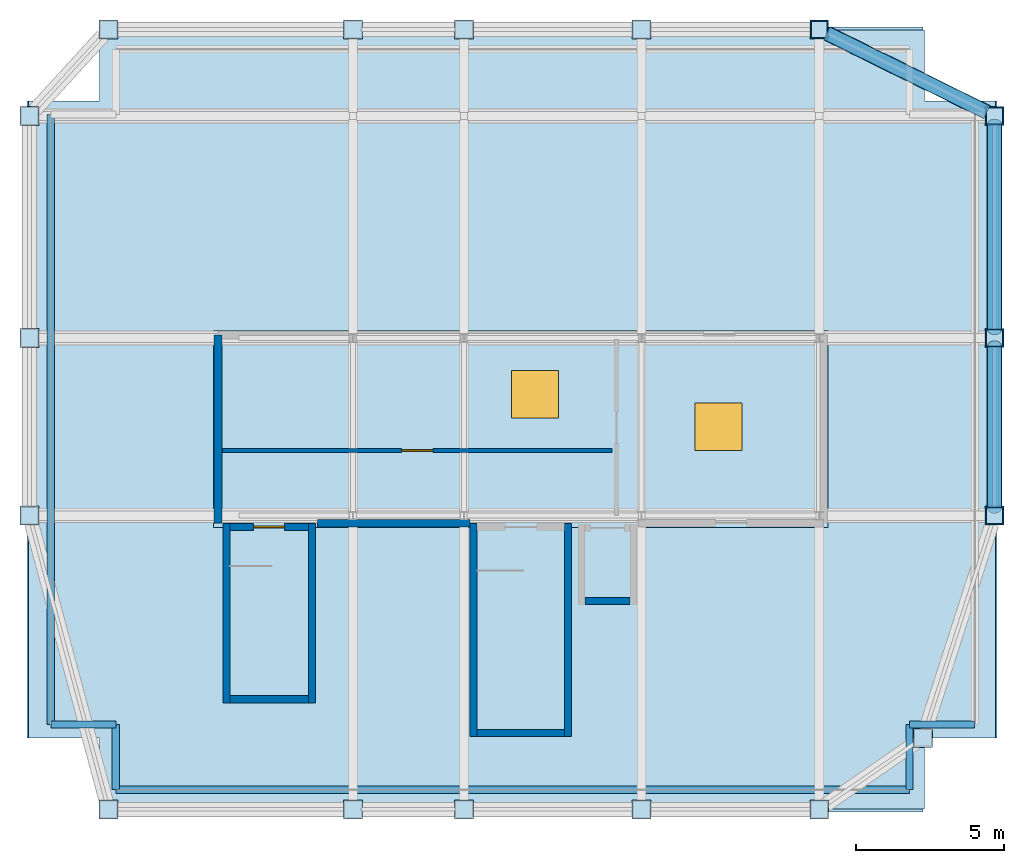
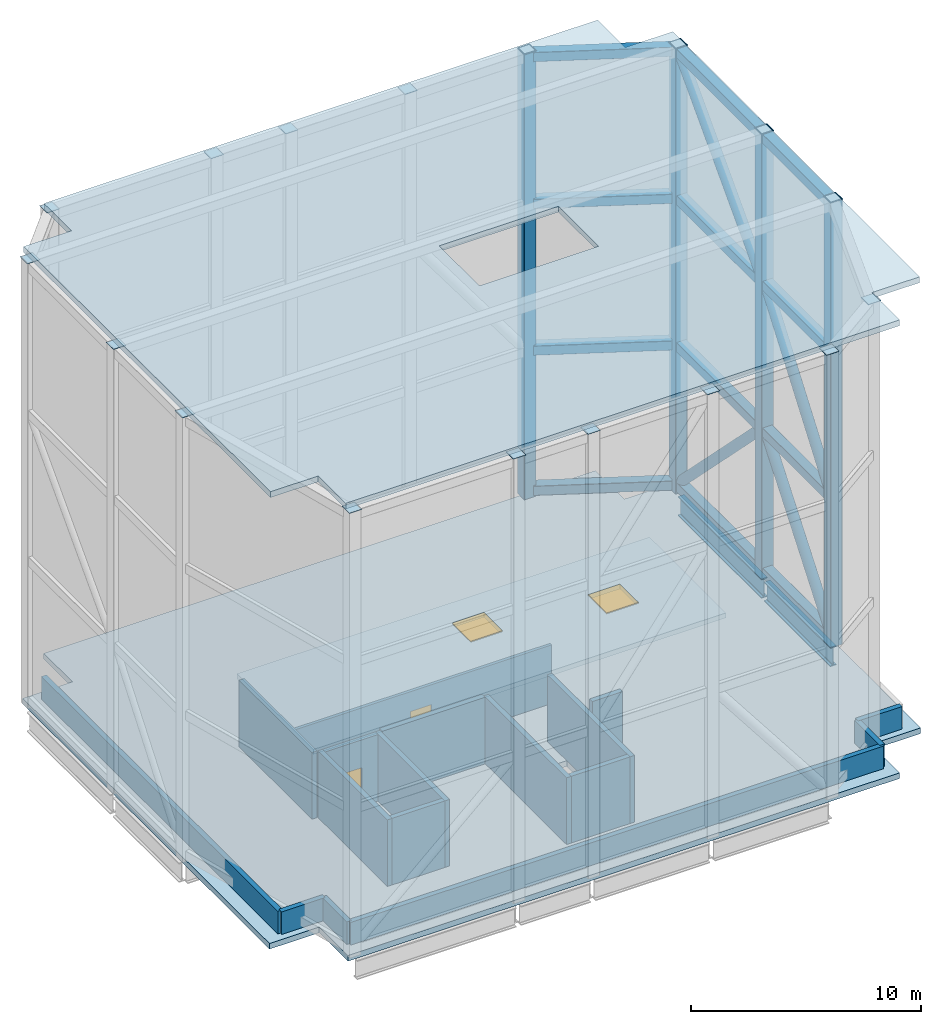
# One storey, part 3 of 6: 20 members, 17 plates, 17 walls, 3 slabs, 2 beams, 2 doors, 2 windows, 4 openings.
"""IFC4 building model written with IfcOpenShell, lengths in metres."""

import ifcopenshell
import ifcopenshell.guid

model = None  # the IFC model being written
_history = None  # IfcOwnerHistory: only IFC2X3 demands one
_inside = {}  # id of a spatial element -> (the spatial element, [elements in it])
_under = {}  # id of a project, library or spatial element -> (it, [spatial elements below it])
_declared = {}  # id of a project -> (the project, [libraries it declares])
_typed = {}  # id of a type object -> (the type object, [elements of that type])
_made_of = {}  # id of a material, layer set ... -> (it, [elements and type objects made of it])


def new_model(schema):
    """Start an empty IFC model of exactly this schema.

    Asked for "IFC4X3", IfcOpenShell would pick the latest addendum, in which some entities
    have other attributes; the version numbers below select the first issue.
    IFC2X3 requires an IfcOwnerHistory on every rooted entity: one is made here for all.
    """
    global model, _history
    if schema == "IFC4X3":
        model = ifcopenshell.file(schema_version=(4, 3, 0, 0))
    else:
        model = ifcopenshell.file(schema=schema)
    _inside.clear()
    _under.clear()
    _declared.clear()
    _typed.clear()
    _made_of.clear()
    _history = None
    if model.schema == "IFC2X3":
        org = make("IfcOrganization", Name="unknown")
        user = make(
            "IfcPersonAndOrganization",
            ThePerson=make("IfcPerson", FamilyName="unknown"),
            TheOrganization=org,
        )
        app = make(
            "IfcApplication",
            ApplicationDeveloper=org,
            Version="unknown",
            ApplicationFullName="unknown",
            ApplicationIdentifier="unknown",
        )
        _history = make(
            "IfcOwnerHistory",
            OwningUser=user,
            OwningApplication=app,
            ChangeAction="ADDED",
            CreationDate=0,
        )
    return model


def make(cls, **values):
    """One entity of the class cls with the attributes given. An attribute that is None is left unset."""
    return model.create_entity(
        cls, **{name: value for name, value in values.items() if value is not None}
    )


def rooted(cls, **values):
    """An entity with a GlobalId (a new one), such as an element, a storey or a relation."""
    return make(cls, GlobalId=ifcopenshell.guid.new(), OwnerHistory=_history, **values)


def si_unit(unit_type, name, prefix=None):
    """IfcSIUnit, for example si_unit("LENGTHUNIT", "METRE", prefix="MILLI")."""
    return make("IfcSIUnit", UnitType=unit_type, Prefix=prefix, Name=name)


def assignment(units):
    """IfcUnitAssignment: the units of a project."""
    return None if units is None else make("IfcUnitAssignment", Units=units)


def point(xyz):
    """IfcCartesianPoint."""
    return None if xyz is None else make("IfcCartesianPoint", Coordinates=xyz)


def direction(xyz):
    """IfcDirection."""
    return None if xyz is None else make("IfcDirection", DirectionRatios=xyz)


def frame(location, z_axis=None, x_axis=None):
    """IfcAxis2Placement3D, a coordinate frame: its origin and axes. An axis left out is left unset."""
    return make(
        "IfcAxis2Placement3D",
        Location=point(location),
        Axis=direction(z_axis),
        RefDirection=direction(x_axis),
    )


def frame_2d(location, x_axis=None):
    """IfcAxis2Placement2D, a coordinate frame in the plane: its origin and x axis."""
    return make(
        "IfcAxis2Placement2D", Location=point(location), RefDirection=direction(x_axis)
    )


def origin():
    """The frame at (0, 0, 0) with its axes left unset."""
    return frame((0.0, 0.0, 0.0))


def origin_2d():
    """The frame at (0, 0) in the plane with its x axis left unset."""
    return frame_2d((0.0, 0.0))


def place(relative_to, where):
    """IfcLocalPlacement: puts the frame where relative to a parent placement (None: the world)."""
    return make(
        "IfcLocalPlacement", PlacementRelTo=relative_to, RelativePlacement=where
    )


def context(
    kind, dimensions, precision=None, world=None, true_north=None, identifier=None
):
    """IfcGeometricRepresentationContext, for example the 3D "Model" context."""
    return make(
        "IfcGeometricRepresentationContext",
        ContextIdentifier=identifier,
        ContextType=kind,
        CoordinateSpaceDimension=dimensions,
        Precision=precision,
        WorldCoordinateSystem=world,
        TrueNorth=true_north,
    )


def subcontext(parent, identifier, kind, view, scale=None):
    """IfcGeometricRepresentationSubContext, for example "Body" below "Model"."""
    return make(
        "IfcGeometricRepresentationSubContext",
        ContextIdentifier=identifier,
        ContextType=kind,
        ParentContext=parent,
        TargetScale=scale,
        TargetView=view,
    )


def project(units=None, contexts=None):
    """IfcProject with its units and contexts."""
    return rooted(
        "IfcProject",
        Name="project",
        RepresentationContexts=contexts,
        UnitsInContext=assignment(units),
    )


def spatial(cls, under=None, at=None, **own):
    """A site, building, storey or space (cls), placed at a placement, below another one or the project."""
    s = rooted(cls, ObjectPlacement=at, **own)
    if under is not None:
        _under.setdefault(under.id(), (under, []))[1].append(s)
    return s


def polyline(points):
    """IfcPolyline through the points."""
    return make("IfcPolyline", Points=[point(p) for p in points])


def profile(cls, at=None, kind="AREA", **sizes):
    """A parametric profile (cls). Its sizes go by their IFC names, for example OverallWidth=200.0."""
    return make(cls, ProfileType=kind, Position=at, **sizes)


def rectangle(**sizes):
    """IfcRectangleProfileDef."""
    return profile("IfcRectangleProfileDef", **sizes)


def hollow_rectangle(**sizes):
    """IfcRectangleHollowProfileDef."""
    return profile("IfcRectangleHollowProfileDef", **sizes)


def hollow_circle(**sizes):
    """IfcCircleHollowProfileDef."""
    return profile("IfcCircleHollowProfileDef", **sizes)


def i_section(**sizes):
    """IfcIShapeProfileDef."""
    return profile("IfcIShapeProfileDef", **sizes)


def outline(outer, holes=None, kind="AREA"):
    """IfcArbitraryClosedProfileDef: a profile drawn as a closed curve; with holes, ...WithVoids."""
    if holes is None:
        return make("IfcArbitraryClosedProfileDef", ProfileType=kind, OuterCurve=outer)
    return make(
        "IfcArbitraryProfileDefWithVoids",
        ProfileType=kind,
        OuterCurve=outer,
        InnerCurves=holes,
    )


def extrude(swept, where, along, depth):
    """IfcExtrudedAreaSolid: the profile swept, set in the frame where, extruded along a direction by depth."""
    return make(
        "IfcExtrudedAreaSolid",
        SweptArea=swept,
        Position=where,
        ExtrudedDirection=direction(along),
        Depth=depth,
    )


def shape(context_of_items, identifier, shape_type, items):
    """IfcShapeRepresentation: the items that make up one representation, for example the "Body"."""
    return make(
        "IfcShapeRepresentation",
        ContextOfItems=context_of_items,
        RepresentationIdentifier=identifier,
        RepresentationType=shape_type,
        Items=items,
    )


def material(Name=None, Category=None):
    """IfcMaterial."""
    return make("IfcMaterial", Name=Name, Category=Category)


def layer(
    of_material, thickness, ventilated=None, Name=None, Category=None, Priority=None
):
    """IfcMaterialLayer: one layer of a wall or slab, of a material (None: an air gap)."""
    return make(
        "IfcMaterialLayer",
        Material=of_material,
        LayerThickness=thickness,
        IsVentilated=ventilated,
        Name=Name,
        Category=Category,
        Priority=Priority,
    )


def layer_set(layers, Name=None):
    """IfcMaterialLayerSet."""
    return make("IfcMaterialLayerSet", MaterialLayers=layers, LayerSetName=Name)


def material_profile(
    of_material, cross_section, Name=None, Category=None, Priority=None
):
    """IfcMaterialProfile: a cross section and its material."""
    return make(
        "IfcMaterialProfile",
        Name=Name,
        Material=of_material,
        Profile=cross_section,
        Priority=Priority,
        Category=Category,
    )


def profile_set(profiles, Name=None, composite=None):
    """IfcMaterialProfileSet."""
    return make(
        "IfcMaterialProfileSet",
        Name=Name,
        MaterialProfiles=profiles,
        CompositeProfile=composite,
    )


def made_of(thing, what):
    """Note that an element or type object is made of a material, layer set ...; save() writes the relation."""
    if what is not None:
        _made_of.setdefault(what.id(), (what, []))[1].append(thing)
    return thing


def type_object(cls, material=None, **own):
    """A type object (cls), such as IfcWallType, which elements share."""
    return made_of(rooted(cls, **own), material)


def element(
    cls,
    number,
    at=None,
    inside=None,
    cuts=None,
    type_object=None,
    material=None,
    context=None,
    identifier="Body",
    shape_type=None,
    held_by="IfcProductDefinitionShape",
    body=None,
    shapes=None,
    **own,
):
    """One element of the class cls, such as IfcWall. Its Tag is "e" and its number.

    at: its placement. inside: the storey or other place that contains it. cuts: it is an
    opening in that element (IfcRelVoidsElement). A single representation is given by context,
    identifier, shape_type and body (its items); several are given by shapes. held_by: the class
    of the entity that holds the representations. save() writes the other relations.
    """
    e = rooted(cls, Tag="e%d" % number, ObjectPlacement=at, **own)
    if body is not None:
        shapes = [shape(context, identifier, shape_type, body)]
    if shapes is not None:
        e.Representation = make(held_by, Representations=shapes)
    if inside is not None:
        _inside.setdefault(inside.id(), (inside, []))[1].append(e)
    if cuts is not None:
        rooted(
            "IfcRelVoidsElement", RelatingBuildingElement=cuts, RelatedOpeningElement=e
        )
    if type_object is not None:
        _typed.setdefault(type_object.id(), (type_object, []))[1].append(e)
    return made_of(e, material)


def fill(opening, filler):
    """IfcRelFillsElement: the door or window that sits in an opening."""
    return rooted(
        "IfcRelFillsElement",
        RelatingOpeningElement=opening,
        RelatedBuildingElement=filler,
    )


def aggregate(whole, parts):
    """IfcRelAggregates: a whole, such as a stair, and the parts it consists of."""
    return rooted("IfcRelAggregates", RelatingObject=whole, RelatedObjects=parts)


def save(model, path):
    """Write the relations noted so far, then the file.

    IfcRelAggregates (storeys below a building ...), IfcRelContainedInSpatialStructure (elements
    in a storey), IfcRelDefinesByType, IfcRelAssociatesMaterial and IfcRelDeclares: one each for
    every whole, place, type object, material and project.
    """
    for whole, parts in _under.values():
        aggregate(whole, parts)
    for where, things in _inside.values():
        rooted(
            "IfcRelContainedInSpatialStructure",
            RelatedElements=things,
            RelatingStructure=where,
        )
    for kind, things in _typed.values():
        rooted("IfcRelDefinesByType", RelatedObjects=things, RelatingType=kind)
    for what, things in _made_of.values():
        rooted("IfcRelAssociatesMaterial", RelatedObjects=things, RelatingMaterial=what)
    for by, libraries in _declared.values():
        rooted("IfcRelDeclares", RelatingContext=by, RelatedDefinitions=libraries)
    model.write(path)


model = new_model("IFC4")

# Units and contexts
model_context = context("Model", 3, precision=1e-05, world=origin(), true_north=direction((0.0, 1.0)))
body_context = subcontext(model_context, "Body", "Model", "MODEL_VIEW")
ifc_project = project(units=[si_unit("LENGTHUNIT", "METRE"), si_unit("AREAUNIT", "SQUARE_METRE"), si_unit("VOLUMEUNIT", "CUBIC_METRE"), si_unit("PLANEANGLEUNIT", "RADIAN"), si_unit("MASSUNIT", "GRAM", prefix="KILO")], contexts=[model_context])

# Site, building, storey
site_placement = place(None, origin())
site = spatial("IfcSite", under=ifc_project, at=site_placement, CompositionType="ELEMENT")
building_placement = place(site_placement, origin())
building = spatial("IfcBuilding", under=site, at=building_placement, Name="Brevholm Reach", CompositionType="ELEMENT")
storey_placement = place(building_placement, frame((0.0, 0.0, 251.449951171875)))
storey = spatial("IfcBuildingStorey", under=building, at=storey_placement, Name="RF", CompositionType="ELEMENT", Elevation=251.449951171875)

# Beams
ifc_material_1 = material(Name="Structural Steel S460ML", Category="steel")
ifc_material_profile_1 = material_profile(ifc_material_1, i_section(OverallWidth=0.30859375, OverallDepth=1.036376953125, WebThickness=0.030029296875, FlangeThickness=0.05419921875, FilletRadius=0.030029296875, at=origin_2d()), Name="UKB 1016x305x487")
ifc_profile_set_1 = profile_set([ifc_material_profile_1], Name="Structural Steel S460ML")
beam_type = type_object("IfcBeamType", Name="BM-UKB1016", PredefinedType="USERDEFINED", material=ifc_profile_set_1)
beam_1_placement = place(storey_placement, frame((60.0, 10.1201171875, -0.818115234375), z_axis=(0.0, 1.0, 0.0), x_axis=(-1.0, 0.0, 0.0)))
element("IfcBeam", 1, at=beam_1_placement, inside=storey, type_object=beam_type, Name="RF G-01 Framing Beam", ObjectType="GIRDER", PredefinedType="USERDEFINED", context=body_context, shape_type="SweptSolid", body=[
    extrude(i_section(OverallWidth=0.30859375, OverallDepth=1.036376953125, WebThickness=0.030029296875, FlangeThickness=0.05419921875, FilletRadius=0.030029296875, at=origin_2d()), origin(), (0.0, 0.0, 1.0), 5.759765625),
])
beam_2_placement = place(storey_placement, frame((60.0, 16.1201171875, -0.818115234375), z_axis=(0.0, 1.0, 0.0), x_axis=(-1.0, 0.0, 0.0)))
element("IfcBeam", 2, at=beam_2_placement, inside=storey, type_object=beam_type, Name="RF G-01 Framing Beam", ObjectType="GIRDER", PredefinedType="USERDEFINED", context=body_context, shape_type="SweptSolid", body=[
    extrude(i_section(OverallWidth=0.30859375, OverallDepth=1.036376953125, WebThickness=0.030029296875, FlangeThickness=0.05419921875, FilletRadius=0.030029296875, at=origin_2d()), origin(), (0.0, 0.0, 1.0), 7.259765625),
])

# Members
ifc_material_2 = material(Name="Structural Steel S460NH", Category="steel")
ifc_material_profile_2 = material_profile(ifc_material_2, hollow_circle(Radius=0.25390625, WallThickness=0.02490234375, at=origin_2d()), Name="CHS 508x25")
ifc_profile_set_2 = profile_set([ifc_material_profile_2], Name="Structural Steel S460NH")
member_type_1 = type_object("IfcMemberType", Name="CROWN FRAME Brace CHS 508", PredefinedType="BRACE", material=ifc_profile_set_2)
member_1_placement = place(storey_placement, frame((59.919921875, 10.280029296875, 0.580078125), z_axis=(0.0, 0.614171485161, 0.78917259634), x_axis=(-1.0, 0.0, 0.0)))
element("IfcMember", 3, at=member_1_placement, inside=storey, type_object=member_type_1, Name="CROWN FRAME Wind Brace CFB-05", PredefinedType="BRACE", context=body_context, shape_type="SweptSolid", body=[
    extrude(hollow_circle(Radius=0.25390625, WallThickness=0.02490234375, at=origin_2d()), origin(), (0.0, 0.0, 1.0), 8.857421875),
])
member_2_placement = place(storey_placement, frame((59.919921875, 16.280029296875, 7.570068359375), z_axis=(0.0, 0.704561670864, -0.709642763614), x_axis=(-1.0, 0.0, 0.0)))
element("IfcMember", 4, at=member_2_placement, inside=storey, type_object=member_type_1, Name="CROWN FRAME Wind Brace CFB-06", PredefinedType="BRACE", context=body_context, shape_type="SweptSolid", body=[
    extrude(hollow_circle(Radius=0.25390625, WallThickness=0.02490234375, at=origin_2d()), origin(), (0.0, 0.0, 1.0), 9.85009765625),
])
member_3_placement = place(storey_placement, frame((59.919921875, 10.280029296875, 8.030029296875), z_axis=(0.0, 0.595428198484, 0.803408526498), x_axis=(-1.0, 0.0, 0.0)))
element("IfcMember", 5, at=member_3_placement, inside=storey, type_object=member_type_1, Name="CROWN FRAME Wind Brace CFB-07", PredefinedType="BRACE", context=body_context, shape_type="SweptSolid", body=[
    extrude(hollow_circle(Radius=0.25390625, WallThickness=0.02490234375, at=origin_2d()), origin(), (0.0, 0.0, 1.0), 9.13623046875),
])
member_4_placement = place(storey_placement, frame((59.919921875, 16.280029296875, 15.830078125), z_axis=(0.0, 0.686540553286, 0.727091513287), x_axis=(-1.0, 0.0, 0.0)))
element("IfcMember", 6, at=member_4_placement, inside=storey, type_object=member_type_1, Name="CROWN FRAME Wind Brace CFB-08", PredefinedType="BRACE", context=body_context, shape_type="SweptSolid", body=[
    extrude(hollow_circle(Radius=0.25390625, WallThickness=0.02490234375, at=origin_2d()), origin(), (0.0, 0.0, 1.0), 10.108642578125),
])
ifc_material_3 = material(Name="Structural Steel S460NH", Category="steel")
ifc_material_profile_3 = material_profile(ifc_material_3, hollow_rectangle(XDim=0.60009765625, YDim=0.60009765625, WallThickness=0.031982421875, InnerFilletRadius=0.011962890625, OuterFilletRadius=0.02392578125, at=origin_2d()), Name="SHS 600x600x32")
ifc_profile_set_3 = profile_set([ifc_material_profile_3], Name="Structural Steel S460NH")
member_type_2 = type_object("IfcMemberType", Name="CROWN FRAME Post SHS 600", PredefinedType="STRUT", material=ifc_profile_set_3)
for number, where, z_axis, x_axis, name in (
    (7, (59.919921875, 10.0, 0.0), (0.0, 0.0, 1.0), (1.0, 0.0, 0.0), "CROWN FRAME Vertical Post CFP-07"),
    (8, (59.919921875, 16.0, 0.0), (0.0, 0.0, 1.0), (1.0, 0.0, 0.0), "CROWN FRAME Vertical Post CFP-08"),
    (9, (59.919921875, 23.5, 0.0), (0.0, 0.0, 1.0), (1.0, 0.0, 0.0), "CROWN FRAME Vertical Post CFP-09"),
    (10, (54.0, 26.419921875, 0.0), (0.0, 0.0, 1.0), (1.0, 0.0, 0.0), "CROWN FRAME Vertical Post CFP-10"),
):
    element("IfcMember", number, at=place(storey_placement, frame(where, z_axis=z_axis, x_axis=x_axis)), inside=storey, type_object=member_type_2, Name=name, PredefinedType="STRUT", context=body_context, shape_type="SweptSolid", body=[
        extrude(hollow_rectangle(XDim=0.60009765625, YDim=0.60009765625, WallThickness=0.031982421875, InnerFilletRadius=0.011962890625, OuterFilletRadius=0.02392578125, at=origin_2d()), origin(), (0.0, 0.0, 1.0), 23.68994140625),
    ])
ifc_material_4 = material(Name="Structural Steel S460NH", Category="steel")
ifc_material_profile_4 = material_profile(ifc_material_4, hollow_rectangle(XDim=0.5, YDim=0.5, WallThickness=0.02490234375, InnerFilletRadius=0.011962890625, OuterFilletRadius=0.02392578125, at=origin_2d()), Name="SHS 500x500x25")
ifc_profile_set_4 = profile_set([ifc_material_profile_4], Name="Structural Steel S460NH")
member_type_3 = type_object("IfcMemberType", Name="CROWN FRAME Ring SHS 500", PredefinedType="CHORD", material=ifc_profile_set_4)
member_5_placement = place(storey_placement, frame((59.919921875, 10.280029296875, 0.35009765625), z_axis=(0.0, 1.0, 0.0), x_axis=(-1.0, 0.0, 0.0)))
element("IfcMember", 11, at=member_5_placement, inside=storey, type_object=member_type_3, Name="CROWN FRAME Ring Chord T0-07", PredefinedType="CHORD", context=body_context, shape_type="SweptSolid", body=[
    extrude(hollow_rectangle(XDim=0.5, YDim=0.5, WallThickness=0.02490234375, InnerFilletRadius=0.011962890625, OuterFilletRadius=0.02392578125, at=origin_2d()), origin(), (0.0, 0.0, 1.0), 5.43994140625),
])
member_6_placement = place(storey_placement, frame((59.919921875, 16.280029296875, 0.35009765625), z_axis=(0.0, 1.0, 0.0), x_axis=(-1.0, 0.0, 0.0)))
element("IfcMember", 12, at=member_6_placement, inside=storey, type_object=member_type_3, Name="CROWN FRAME Ring Chord T0-08", PredefinedType="CHORD", context=body_context, shape_type="SweptSolid", body=[
    extrude(hollow_rectangle(XDim=0.5, YDim=0.5, WallThickness=0.02490234375, InnerFilletRadius=0.011962890625, OuterFilletRadius=0.02392578125, at=origin_2d()), origin(), (0.0, 0.0, 1.0), 6.93994140625),
])
member_7_placement = place(storey_placement, frame((59.6689453125, 23.623779296875, 0.35009765625), z_axis=(-0.896830898062, 0.442373530268, 0.0), x_axis=(-0.442373530268, -0.896830898062, 0.0)))
element("IfcMember", 13, at=member_7_placement, inside=storey, type_object=member_type_3, Name="CROWN FRAME Ring Chord T0-09", PredefinedType="CHORD", context=body_context, shape_type="SweptSolid", body=[
    extrude(hollow_rectangle(XDim=0.5, YDim=0.5, WallThickness=0.02490234375, InnerFilletRadius=0.011962890625, OuterFilletRadius=0.02392578125, at=origin_2d()), origin(), (0.0, 0.0, 1.0), 6.041015625),
])
member_8_placement = place(storey_placement, frame((59.919921875, 10.280029296875, 7.800048828125), z_axis=(0.0, 1.0, 0.0), x_axis=(-1.0, 0.0, 0.0)))
element("IfcMember", 14, at=member_8_placement, inside=storey, type_object=member_type_3, Name="CROWN FRAME Ring Chord T1-07", PredefinedType="CHORD", context=body_context, shape_type="SweptSolid", body=[
    extrude(hollow_rectangle(XDim=0.5, YDim=0.5, WallThickness=0.02490234375, InnerFilletRadius=0.011962890625, OuterFilletRadius=0.02392578125, at=origin_2d()), origin(), (0.0, 0.0, 1.0), 5.43994140625),
])
member_9_placement = place(storey_placement, frame((59.919921875, 16.280029296875, 7.800048828125), z_axis=(0.0, 1.0, 0.0), x_axis=(-1.0, 0.0, 0.0)))
element("IfcMember", 15, at=member_9_placement, inside=storey, type_object=member_type_3, Name="CROWN FRAME Ring Chord T1-08", PredefinedType="CHORD", context=body_context, shape_type="SweptSolid", body=[
    extrude(hollow_rectangle(XDim=0.5, YDim=0.5, WallThickness=0.02490234375, InnerFilletRadius=0.011962890625, OuterFilletRadius=0.02392578125, at=origin_2d()), origin(), (0.0, 0.0, 1.0), 6.93994140625),
])
member_10_placement = place(storey_placement, frame((59.6689453125, 23.623779296875, 7.800048828125), z_axis=(-0.896830898062, 0.442373530268, 0.0), x_axis=(-0.442373530268, -0.896830898062, 0.0)))
element("IfcMember", 16, at=member_10_placement, inside=storey, type_object=member_type_3, Name="CROWN FRAME Ring Chord T1-09", PredefinedType="CHORD", context=body_context, shape_type="SweptSolid", body=[
    extrude(hollow_rectangle(XDim=0.5, YDim=0.5, WallThickness=0.02490234375, InnerFilletRadius=0.011962890625, OuterFilletRadius=0.02392578125, at=origin_2d()), origin(), (0.0, 0.0, 1.0), 6.041015625),
])
member_11_placement = place(storey_placement, frame((59.919921875, 10.280029296875, 15.60009765625), z_axis=(0.0, 1.0, 0.0), x_axis=(-1.0, 0.0, 0.0)))
element("IfcMember", 17, at=member_11_placement, inside=storey, type_object=member_type_3, Name="CROWN FRAME Ring Chord T2-07", PredefinedType="CHORD", context=body_context, shape_type="SweptSolid", body=[
    extrude(hollow_rectangle(XDim=0.5, YDim=0.5, WallThickness=0.02490234375, InnerFilletRadius=0.011962890625, OuterFilletRadius=0.02392578125, at=origin_2d()), origin(), (0.0, 0.0, 1.0), 5.43994140625),
])
member_12_placement = place(storey_placement, frame((59.919921875, 16.280029296875, 15.60009765625), z_axis=(0.0, 1.0, 0.0), x_axis=(-1.0, 0.0, 0.0)))
element("IfcMember", 18, at=member_12_placement, inside=storey, type_object=member_type_3, Name="CROWN FRAME Ring Chord T2-08", PredefinedType="CHORD", context=body_context, shape_type="SweptSolid", body=[
    extrude(hollow_rectangle(XDim=0.5, YDim=0.5, WallThickness=0.02490234375, InnerFilletRadius=0.011962890625, OuterFilletRadius=0.02392578125, at=origin_2d()), origin(), (0.0, 0.0, 1.0), 6.93994140625),
])
member_13_placement = place(storey_placement, frame((59.6689453125, 23.623779296875, 15.60009765625), z_axis=(-0.896830898062, 0.442373530268, 0.0), x_axis=(-0.442373530268, -0.896830898062, 0.0)))
element("IfcMember", 19, at=member_13_placement, inside=storey, type_object=member_type_3, Name="CROWN FRAME Ring Chord T2-09", PredefinedType="CHORD", context=body_context, shape_type="SweptSolid", body=[
    extrude(hollow_rectangle(XDim=0.5, YDim=0.5, WallThickness=0.02490234375, InnerFilletRadius=0.011962890625, OuterFilletRadius=0.02392578125, at=origin_2d()), origin(), (0.0, 0.0, 1.0), 6.041015625),
])
member_14_placement = place(storey_placement, frame((59.919921875, 10.280029296875, 23.41015625), z_axis=(0.0, 1.0, 0.0), x_axis=(-1.0, 0.0, 0.0)))
element("IfcMember", 20, at=member_14_placement, inside=storey, type_object=member_type_3, Name="CROWN FRAME Ring Chord T3-07", PredefinedType="CHORD", context=body_context, shape_type="SweptSolid", body=[
    extrude(hollow_rectangle(XDim=0.5, YDim=0.5, WallThickness=0.02490234375, InnerFilletRadius=0.011962890625, OuterFilletRadius=0.02392578125, at=origin_2d()), origin(), (0.0, 0.0, 1.0), 5.43994140625),
])
member_15_placement = place(storey_placement, frame((59.919921875, 16.280029296875, 23.41015625), z_axis=(0.0, 1.0, 0.0), x_axis=(-1.0, 0.0, 0.0)))
element("IfcMember", 21, at=member_15_placement, inside=storey, type_object=member_type_3, Name="CROWN FRAME Ring Chord T3-08", PredefinedType="CHORD", context=body_context, shape_type="SweptSolid", body=[
    extrude(hollow_rectangle(XDim=0.5, YDim=0.5, WallThickness=0.02490234375, InnerFilletRadius=0.011962890625, OuterFilletRadius=0.02392578125, at=origin_2d()), origin(), (0.0, 0.0, 1.0), 6.93994140625),
])
member_16_placement = place(storey_placement, frame((59.6689453125, 23.623779296875, 23.41015625), z_axis=(-0.896830898062, 0.442373530268, 0.0), x_axis=(-0.442373530268, -0.896830898062, 0.0)))
element("IfcMember", 22, at=member_16_placement, inside=storey, type_object=member_type_3, Name="CROWN FRAME Ring Chord T3-09", PredefinedType="CHORD", context=body_context, shape_type="SweptSolid", body=[
    extrude(hollow_rectangle(XDim=0.5, YDim=0.5, WallThickness=0.02490234375, InnerFilletRadius=0.011962890625, OuterFilletRadius=0.02392578125, at=origin_2d()), origin(), (0.0, 0.0, 1.0), 6.041015625),
])

# Plates
ifc_material_5 = material(Name="Structural Steel S460NH", Category="steel")
ifc_layer_1 = layer(ifc_material_5, 0.013916015625)
ifc_layer_set_1 = layer_set([ifc_layer_1], Name="Structural Steel S460NH")
plate_type = type_object("IfcPlateType", Name="PLT-CAP-14", PredefinedType="USERDEFINED", material=ifc_layer_set_1)
for number, where, z_axis, x_axis, name in (
    (23, (30.0, 0.080078125, 23.6630859375), (0.0, 0.0, 1.0), (1.0, 0.0, 0.0), "Crown Frame Post End-Cap Plate 01"),
    (24, (38.25, 0.080078125, 23.6630859375), (0.0, 0.0, 1.0), (1.0, 0.0, 0.0), "Crown Frame Post End-Cap Plate 02"),
    (25, (42.0, 0.080078125, 23.6630859375), (0.0, 0.0, 1.0), (1.0, 0.0, 0.0), "Crown Frame Post End-Cap Plate 03"),
    (26, (48.0, 0.080078125, 23.6630859375), (0.0, 0.0, 1.0), (1.0, 0.0, 0.0), "Crown Frame Post End-Cap Plate 04"),
    (27, (54.0, 0.080078125, 23.6630859375), (0.0, 0.0, 1.0), (1.0, 0.0, 0.0), "Crown Frame Post End-Cap Plate 05"),
    (28, (57.5, 2.5, 23.6630859375), (0.0, 0.0, 1.0), (1.0, 0.0, 0.0), "Crown Frame Post End-Cap Plate 06"),
    (29, (59.919921875, 10.0, 23.6630859375), (0.0, 0.0, 1.0), (1.0, 0.0, 0.0), "Crown Frame Post End-Cap Plate 07"),
    (30, (59.919921875, 16.0, 23.6630859375), (0.0, 0.0, 1.0), (1.0, 0.0, 0.0), "Crown Frame Post End-Cap Plate 08"),
    (31, (59.919921875, 23.5, 23.6630859375), (0.0, 0.0, 1.0), (1.0, 0.0, 0.0), "Crown Frame Post End-Cap Plate 09"),
    (32, (54.0, 26.419921875, 23.6630859375), (0.0, 0.0, 1.0), (1.0, 0.0, 0.0), "Crown Frame Post End-Cap Plate 10"),
    (33, (48.0, 26.419921875, 23.6630859375), (0.0, 0.0, 1.0), (1.0, 0.0, 0.0), "Crown Frame Post End-Cap Plate 11"),
    (34, (42.0, 26.419921875, 23.6630859375), (0.0, 0.0, 1.0), (1.0, 0.0, 0.0), "Crown Frame Post End-Cap Plate 12"),
    (35, (38.25, 26.419921875, 23.6630859375), (0.0, 0.0, 1.0), (1.0, 0.0, 0.0), "Crown Frame Post End-Cap Plate 13"),
    (36, (30.0, 26.419921875, 23.6630859375), (0.0, 0.0, 1.0), (1.0, 0.0, 0.0), "Crown Frame Post End-Cap Plate 14"),
    (37, (27.330078125, 23.5, 23.6630859375), (0.0, 0.0, 1.0), (1.0, 0.0, 0.0), "Crown Frame Post End-Cap Plate 15"),
    (38, (27.330078125, 16.0, 23.6630859375), (0.0, 0.0, 1.0), (1.0, 0.0, 0.0), "Crown Frame Post End-Cap Plate 16"),
    (39, (27.330078125, 10.0, 23.6630859375), (0.0, 0.0, 1.0), (1.0, 0.0, 0.0), "Crown Frame Post End-Cap Plate 17"),
):
    element("IfcPlate", number, at=place(storey_placement, frame(where, z_axis=z_axis, x_axis=x_axis)), inside=storey, type_object=plate_type, Name=name, ObjectType="STIFFENER_PLATE", PredefinedType="USERDEFINED", context=body_context, shape_type="SweptSolid", body=[
        extrude(rectangle(XDim=0.639892578125, YDim=0.639892578125, at=origin_2d()), origin(), (0.0, 0.0, 1.0), 0.013916015625),
    ])

# Slabs
ifc_material_6 = material(Name="Precast Concrete C40/50", Category="concrete")
ifc_layer_2 = layer(ifc_material_6, 0.31005859375)
ifc_layer_set_2 = layer_set([ifc_layer_2], Name="Precast Concrete C40/50")
slab_type_1 = type_object("IfcSlabType", Name="SLB-CRF-310", PredefinedType="FLOOR", material=ifc_layer_set_2)
slab_1_placement = place(storey_placement, frame((0.0, 0.0, 23.68994140625)))
element("IfcSlab", 40, at=slab_1_placement, inside=storey, type_object=slab_type_1, Name="RF Crown Frame Structural Roof Cap", PredefinedType="FLOOR", context=body_context, shape_type="SweptSolid", body=[
    extrude(outline(polyline([(29.699951171875, 0.10009765625), (57.550048828125, 0.10009765625), (57.550048828125, 2.5), (59.949951171875, 2.5), (59.949951171875, 24.0), (57.550048828125, 24.0), (57.550048828125, 26.39990234375), (29.699951171875, 26.39990234375), (29.699951171875, 24.0), (27.300048828125, 24.0), (27.300048828125, 2.5), (29.699951171875, 2.5), (29.699951171875, 0.10009765625)]), holes=[polyline([(43.0, 11.5), (49.0, 11.5), (49.0, 15.0), (43.0, 15.0), (43.0, 11.5)])]), origin(), (0.0, 0.0, 1.0), 0.31005859375),
])
ifc_material_7 = material(Name="Concrete C40/50", Category="concrete")
ifc_layer_3 = layer(ifc_material_7, 0.300048828125)
ifc_layer_set_3 = layer_set([ifc_layer_3], Name="Concrete C40/50")
slab_type_2 = type_object("IfcSlabType", Name="SLB-RF-300", PredefinedType="ROOF", material=ifc_layer_set_3)
slab_2_placement = place(storey_placement, frame((0.0, 0.0, -0.300048828125)))
element("IfcSlab", 41, at=slab_2_placement, inside=storey, type_object=slab_type_2, Name="Outdoor Terrace Roof Slab (east-roof)", PredefinedType="ROOF", context=body_context, shape_type="SweptSolid", body=[
    extrude(outline(polyline([(29.75, 0.0), (57.5, 0.0), (57.5, 2.5), (60.0, 2.5), (60.0, 24.0), (57.5, 24.0), (57.5, 26.5), (29.75, 26.5), (29.75, 24.0), (27.25, 24.0), (27.25, 2.5), (29.75, 2.5), (29.75, 0.0)]), holes=[polyline([(42.449951171875, 2.780029296875), (45.39990234375, 2.780029296875), (45.39990234375, 8.044921875), (42.449951171875, 8.044921875), (42.449951171875, 2.780029296875)]), polyline([(34.10009765625, 3.919921875), (36.75, 3.919921875), (36.75, 8.195068359375), (34.10009765625, 8.195068359375), (34.10009765625, 3.919921875)]), polyline([(46.10009765625, 7.25), (47.60009765625, 7.25), (47.60009765625, 9.449951171875), (46.10009765625, 9.449951171875), (46.10009765625, 7.25)])]), origin(), (0.0, 0.0, 1.0), 0.300048828125),
])

# Slab, openings, windows
ifc_material_8 = material(Name="Concrete C40/50", Category="concrete")
ifc_layer_4 = layer(ifc_material_8, 0.260009765625)
ifc_layer_set_4 = layer_set([ifc_layer_4], Name="Concrete C40/50")
slab_type_3 = type_object("IfcSlabType", Name="SLB-RFP-260", PredefinedType="FLOOR", material=ifc_layer_set_4)
slab_3_placement = place(storey_placement, frame((0.0, 0.0, 3.5400390625)))
slab_3 = element("IfcSlab", 42, at=slab_3_placement, inside=storey, type_object=slab_type_3, Name="RF Rooftop Plant House Roof Slab", PredefinedType="FLOOR", context=body_context, shape_type="SweptSolid", body=[
    extrude(outline(polyline([(33.550048828125, 9.60009765625), (54.300048828125, 9.60009765625), (54.300048828125, 16.25), (33.550048828125, 16.25), (33.550048828125, 9.60009765625)]), holes=[polyline([(43.60009765625, 13.300048828125), (45.199951171875, 13.300048828125), (45.199951171875, 14.89990234375), (43.60009765625, 14.89990234375), (43.60009765625, 13.300048828125)]), polyline([(49.800048828125, 12.199951171875), (51.39990234375, 12.199951171875), (51.39990234375, 13.800048828125), (49.800048828125, 13.800048828125), (49.800048828125, 12.199951171875)])]), origin(), (0.0, 0.0, 1.0), 0.260009765625),
])
opening_1_placement = place(slab_3_placement, frame((44.39990234375, 14.10009765625, 0.0)))
opening_1 = element("IfcOpeningElement", 43, at=opening_1_placement, cuts=slab_3, Name="Opening SK-01", PredefinedType="OPENING", context=body_context, shape_type="SweptSolid", body=[
    extrude(rectangle(XDim=1.60009765625, YDim=1.60009765625, at=origin_2d()), origin(), (0.0, 0.0, 1.0), 0.260009765625),
])
opening_2_placement = place(slab_3_placement, frame((50.60009765625, 13.0, 0.0)))
opening_2 = element("IfcOpeningElement", 44, at=opening_2_placement, cuts=slab_3, Name="Opening SK-01", PredefinedType="OPENING", context=body_context, shape_type="SweptSolid", body=[
    extrude(rectangle(XDim=1.60009765625, YDim=1.60009765625, at=origin_2d()), origin(), (0.0, 0.0, 1.0), 0.260009765625),
])
ifc_material_9 = material(Name="Thermally Broken Aluminium and Laminated Safety Glass", Category="aluminium")
window_type = type_object("IfcWindowType", Name="WIN-SKY-1600", PartitioningType="SINGLE_PANEL", PredefinedType="SKYLIGHT", material=ifc_material_9)
window_1_placement = place(opening_1_placement, frame((0.0, 0.0, 0.2099609375)))
window_1 = element("IfcWindow", 45, at=window_1_placement, inside=storey, type_object=window_type, Name="RF Roof Access and Smoke-Vent Skylight 6", OverallHeight=1.60009765625, OverallWidth=1.60009765625, PartitioningType="SINGLE_PANEL", PredefinedType="SKYLIGHT", context=body_context, shape_type="SweptSolid", body=[
    extrude(rectangle(XDim=1.60009765625, YDim=1.60009765625, at=origin_2d()), origin(), (0.0, 0.0, 1.0), 0.050048828125),
])
fill(opening_1, window_1)
window_2_placement = place(opening_2_placement, frame((0.0, 0.0, 0.2099609375)))
window_2 = element("IfcWindow", 46, at=window_2_placement, inside=storey, type_object=window_type, Name="RF Roof Access and Smoke-Vent Skylight 7", OverallHeight=1.60009765625, OverallWidth=1.60009765625, PartitioningType="SINGLE_PANEL", PredefinedType="SKYLIGHT", context=body_context, shape_type="SweptSolid", body=[
    extrude(rectangle(XDim=1.60009765625, YDim=1.60009765625, at=origin_2d()), origin(), (0.0, 0.0, 1.0), 0.050048828125),
])
fill(opening_2, window_2)

# Walls
ifc_material_10 = material(Name="Concrete C45/55", Category="concrete")
ifc_layer_5 = layer(ifc_material_10, 0.239990234375)
ifc_layer_set_5 = layer_set([ifc_layer_5], Name="Concrete C45/55")
wall_type_1 = type_object("IfcWallType", Name="WAL-COR-240", PredefinedType="SHEAR", material=ifc_layer_set_5)
for number, where, z_axis, x_axis, name in (
    (47, (42.330078125, 2.5400390625, 0.0), (0.0, 0.0, 1.0), (0.0, 1.0, 0.0), "RF Escape Stair ST-2 Core Wall W"),
    (48, (45.52001953125, 2.5400390625, 0.0), (0.0, 0.0, 1.0), (0.0, 1.0, 0.0), "RF Escape Stair ST-2 Core Wall E"),
):
    element("IfcWall", number, at=place(storey_placement, frame(where, z_axis=z_axis, x_axis=x_axis)), inside=storey, type_object=wall_type_1, Name=name, PredefinedType="SHEAR", context=body_context, shape_type="SweptSolid", body=[
        extrude(rectangle(XDim=7.199951171875, YDim=0.239990234375, at=frame_2d((3.60009765625, 0.0))), origin(), (0.0, 0.0, 1.0), 3.5400390625),
    ])
wall_1_placement = place(storey_placement, frame((42.449951171875, 2.659912109375, 0.0), z_axis=(0.0, 0.0, 1.0), x_axis=(1.0, 0.0, 0.0)))
element("IfcWall", 49, at=wall_1_placement, inside=storey, type_object=wall_type_1, Name="RF Escape Stair ST-2 Core Wall S", PredefinedType="SHEAR", context=body_context, shape_type="SweptSolid", body=[
    extrude(rectangle(XDim=2.949951171875, YDim=0.239990234375, at=frame_2d((1.47509765625, 0.0))), origin(), (0.0, 0.0, 1.0), 3.5400390625),
])
for number, where, z_axis, x_axis, name in (
    (50, (33.97998046875, 3.679931640625, 0.0), (0.0, 0.0, 1.0), (0.0, 1.0, 0.0), "RF Escape Stair ST-3 Core Wall W"),
    (51, (36.8701171875, 3.679931640625, 0.0), (0.0, 0.0, 1.0), (0.0, 1.0, 0.0), "RF Escape Stair ST-3 Core Wall E"),
):
    element("IfcWall", number, at=place(storey_placement, frame(where, z_axis=z_axis, x_axis=x_axis)), inside=storey, type_object=wall_type_1, Name=name, PredefinedType="SHEAR", context=body_context, shape_type="SweptSolid", body=[
        extrude(rectangle(XDim=6.06005859375, YDim=0.239990234375, at=frame_2d((3.030029296875, 0.0))), origin(), (0.0, 0.0, 1.0), 3.5400390625),
    ])
wall_2_placement = place(storey_placement, frame((34.10009765625, 3.800048828125, 0.0), z_axis=(0.0, 0.0, 1.0), x_axis=(1.0, 0.0, 0.0)))
element("IfcWall", 52, at=wall_2_placement, inside=storey, type_object=wall_type_1, Name="RF Escape Stair ST-3 Core Wall S", PredefinedType="SHEAR", context=body_context, shape_type="SweptSolid", body=[
    extrude(rectangle(XDim=2.64990234375, YDim=0.239990234375, at=frame_2d((1.324951171875, 0.0))), origin(), (0.0, 0.0, 1.0), 3.5400390625),
])

# Wall, opening, door
wall_3_placement = place(storey_placement, frame((36.75, 9.6201171875, 0.0), z_axis=(0.0, 0.0, 1.0), x_axis=(-1.0, 0.0, 0.0)))
wall_3 = element("IfcWall", 53, at=wall_3_placement, inside=storey, type_object=wall_type_1, Name="RF Escape Stair ST-3 Core Wall N", PredefinedType="SHEAR", context=body_context, shape_type="SweptSolid", body=[
    extrude(rectangle(XDim=2.64990234375, YDim=0.239990234375, at=frame_2d((1.324951171875, 0.0))), origin(), (0.0, 0.0, 1.0), 3.5400390625),
])
opening_3_placement = place(wall_3_placement, frame((0.800048828125, 0.0, 0.0)))
opening_3 = element("IfcOpeningElement", 54, at=opening_3_placement, cuts=wall_3, Name="Opening SD-ST-3", PredefinedType="OPENING", context=body_context, shape_type="SweptSolid", body=[
    extrude(rectangle(XDim=1.050048828125, YDim=2.06005859375, at=frame_2d((0.52490234375, 1.030029296875))), frame((0.0, 0.1298828125, 0.0), z_axis=(0.0, -1.0, 0.0), x_axis=(1.0, 0.0, 0.0)), (0.0, 0.0, 1.0), 0.260009765625),
])
ifc_material_11 = material(Name="Hardwood-Lipped Steel-Core Fire and Smoke Door", Category="steel")
door_type = type_object("IfcDoorType", Name="DOR-INT-FD60S", OperationType="NOTDEFINED", PredefinedType="DOOR", material=ifc_material_11)
door_1_placement = place(opening_3_placement, origin())
door_1 = element("IfcDoor", 55, at=door_1_placement, inside=storey, type_object=door_type, Name="RF Protected Stair ST-3 Lobby Door", OperationType="SINGLE_SWING_LEFT", OverallHeight=2.06005859375, OverallWidth=1.050048828125, PredefinedType="DOOR", context=body_context, shape_type="SweptSolid", body=[
    extrude(rectangle(XDim=1.050048828125, YDim=2.06005859375, at=frame_2d((0.52490234375, 1.030029296875))), frame((0.0, 0.02490234375, 0.0), z_axis=(0.0, -1.0, 0.0), x_axis=(1.0, 0.0, 0.0)), (0.0, 0.0, 1.0), 0.050048828125),
])
fill(opening_3, door_1)

# Walls
wall_4_placement = place(storey_placement, frame((46.090087890625, 7.1201171875, 0.0), z_axis=(0.0, 0.0, 1.0), x_axis=(1.0, 0.0, 0.0)))
element("IfcWall", 56, at=wall_4_placement, inside=storey, type_object=wall_type_1, Name="RF Lift FFL-2 Shaft Wall S", PredefinedType="SHEAR", context=body_context, shape_type="SweptSolid", body=[
    extrude(rectangle(XDim=1.52001953125, YDim=0.239990234375, at=frame_2d((0.760009765625, 0.0))), origin(), (0.0, 0.0, 1.0), 3.5400390625),
])
ifc_material_12 = material(Name="Precast Concrete C40/50", Category="concrete")
ifc_layer_6 = layer(ifc_material_12, 0.25)
ifc_layer_set_6 = layer_set([ifc_layer_6], Name="Precast Concrete C40/50")
wall_type_2 = type_object("IfcWallType", Name="WAL-PAR-250", PredefinedType="PARAPET", material=ifc_layer_set_6)
wall_5_placement = place(storey_placement, frame((30.25, 0.75, 0.0), z_axis=(0.0, 0.0, 1.0), x_axis=(1.0, 0.0, 0.0)))
element("IfcWall", 57, at=wall_5_placement, inside=storey, type_object=wall_type_2, Name="RF Facade Wall WAL-RF-PAR-01", PredefinedType="PARAPET", context=body_context, shape_type="SweptSolid", body=[
    extrude(rectangle(XDim=26.800048828125, YDim=0.25, at=frame_2d((13.39990234375, 0.0))), origin(), (0.0, 0.0, 1.0), 1.199951171875),
])
for number, where, z_axis, x_axis, name in (
    (58, (57.050048828125, 0.75, 0.0), (0.0, 0.0, 1.0), (0.0, 1.0, 0.0), "RF Facade Wall WAL-RF-PAR-02"),
    (59, (57.050048828125, 2.949951171875, 0.0), (0.0, 0.0, 1.0), (1.0, 0.0, 0.0), "RF Facade Wall WAL-RF-PAR-03"),
):
    element("IfcWall", number, at=place(storey_placement, frame(where, z_axis=z_axis, x_axis=x_axis)), inside=storey, type_object=wall_type_2, Name=name, PredefinedType="PARAPET", context=body_context, shape_type="SweptSolid", body=[
        extrude(rectangle(XDim=2.199951171875, YDim=0.25, at=frame_2d((1.10009765625, 0.0))), origin(), (0.0, 0.0, 1.0), 1.199951171875),
    ])
wall_6_placement = place(storey_placement, frame((28.050048828125, 23.550048828125, 0.0), z_axis=(0.0, 0.0, 1.0), x_axis=(0.0, -1.0, 0.0)))
element("IfcWall", 60, at=wall_6_placement, inside=storey, type_object=wall_type_2, Name="RF Facade Wall WAL-RF-PAR-10", PredefinedType="PARAPET", context=body_context, shape_type="SweptSolid", body=[
    extrude(rectangle(XDim=20.60009765625, YDim=0.25, at=frame_2d((10.300048828125, 0.0))), origin(), (0.0, 0.0, 1.0), 1.199951171875),
])
for number, where, z_axis, x_axis, name in (
    (61, (28.050048828125, 2.949951171875, 0.0), (0.0, 0.0, 1.0), (1.0, 0.0, 0.0), "RF Facade Wall WAL-RF-PAR-11"),
    (62, (30.25, 2.949951171875, 0.0), (0.0, 0.0, 1.0), (0.0, -1.0, 0.0), "RF Facade Wall WAL-RF-PAR-12"),
):
    element("IfcWall", number, at=place(storey_placement, frame(where, z_axis=z_axis, x_axis=x_axis)), inside=storey, type_object=wall_type_2, Name=name, PredefinedType="PARAPET", context=body_context, shape_type="SweptSolid", body=[
        extrude(rectangle(XDim=2.199951171875, YDim=0.25, at=frame_2d((1.10009765625, 0.0))), origin(), (0.0, 0.0, 1.0), 1.199951171875),
    ])

# Wall, opening, door
ifc_material_13 = material(Name="Twin-Stud Acoustic Fire-Rated Gypsum Partition 140 mm", Category="gypsum")
ifc_layer_7 = layer(ifc_material_13, 0.139892578125)
ifc_layer_set_7 = layer_set([ifc_layer_7], Name="Twin-Stud Acoustic Fire-Rated Gypsum Partition 140 mm")
wall_type_3 = type_object("IfcWallType", Name="WAL-PRT-140", PredefinedType="PARTITIONING", material=ifc_layer_set_7)
wall_7_placement = place(storey_placement, frame((33.85009765625, 12.199951171875, 0.0), z_axis=(0.0, 0.0, 1.0), x_axis=(1.0, 0.0, 0.0)))
wall_7 = element("IfcWall", 63, at=wall_7_placement, inside=storey, type_object=wall_type_3, Name="RF Rooftop Plant House Wall L1", PredefinedType="PARTITIONING", context=body_context, shape_type="SweptSolid", body=[
    extrude(rectangle(XDim=13.14990234375, YDim=0.139892578125, at=frame_2d((6.574951171875, 0.0))), origin(), (0.0, 0.0, 1.0), 3.1201171875),
])
opening_4_placement = place(wall_7_placement, frame((6.050048828125, 0.0, 0.0)))
opening_4 = element("IfcOpeningElement", 64, at=opening_4_placement, cuts=wall_7, Name="Opening PD-RFL1", PredefinedType="OPENING", context=body_context, shape_type="SweptSolid", body=[
    extrude(rectangle(XDim=1.050048828125, YDim=2.06005859375, at=frame_2d((0.52490234375, 1.030029296875))), frame((0.0, 0.079833984375, 0.0), z_axis=(0.0, -1.0, 0.0), x_axis=(1.0, 0.0, 0.0)), (0.0, 0.0, 1.0), 0.159912109375),
])
door_2_placement = place(opening_4_placement, origin())
door_2 = element("IfcDoor", 65, at=door_2_placement, inside=storey, type_object=door_type, Name="RF Plant Room Access Door L1", OperationType="SINGLE_SWING_LEFT", OverallHeight=2.06005859375, OverallWidth=1.050048828125, PredefinedType="DOOR", context=body_context, shape_type="SweptSolid", body=[
    extrude(rectangle(XDim=1.050048828125, YDim=2.06005859375, at=frame_2d((0.52490234375, 1.030029296875))), frame((0.0, 0.02490234375, 0.0), z_axis=(0.0, -1.0, 0.0), x_axis=(1.0, 0.0, 0.0)), (0.0, 0.0, 1.0), 0.050048828125),
])
fill(opening_4, door_2)

# Walls
ifc_material_14 = material(Name="Precast Concrete C40/50", Category="concrete")
ifc_layer_8 = layer(ifc_material_14, 0.260009765625)
ifc_layer_set_8 = layer_set([ifc_layer_8], Name="Precast Concrete C40/50")
wall_type_4 = type_object("IfcWallType", Name="WAL-RFP-260", PredefinedType="STANDARD", material=ifc_layer_set_8)
wall_8_placement = place(storey_placement, frame((33.699951171875, 16.10009765625, 0.0), z_axis=(0.0, 0.0, 1.0), x_axis=(0.0, -1.0, 0.0)))
element("IfcWall", 66, at=wall_8_placement, inside=storey, type_object=wall_type_4, Name="RF Rooftop Plant House Wall W1", PredefinedType="STANDARD", context=body_context, shape_type="SweptSolid", body=[
    extrude(rectangle(XDim=6.35009765625, YDim=0.260009765625, at=frame_2d((3.175048828125, 0.0))), origin(), (0.0, 0.0, 1.0), 3.5400390625),
])
wall_9_placement = place(storey_placement, frame((37.050048828125, 9.75, 0.0), z_axis=(0.0, 0.0, 1.0), x_axis=(1.0, 0.0, 0.0)))
element("IfcWall", 67, at=wall_9_placement, inside=storey, type_object=wall_type_4, Name="RF Rooftop Plant House Wall S0", PredefinedType="STANDARD", context=body_context, shape_type="SweptSolid", body=[
    extrude(rectangle(XDim=5.14990234375, YDim=0.260009765625, at=frame_2d((2.574951171875, 0.0))), origin(), (0.0, 0.0, 1.0), 3.5400390625),
])

save(model, "model.ifc")
